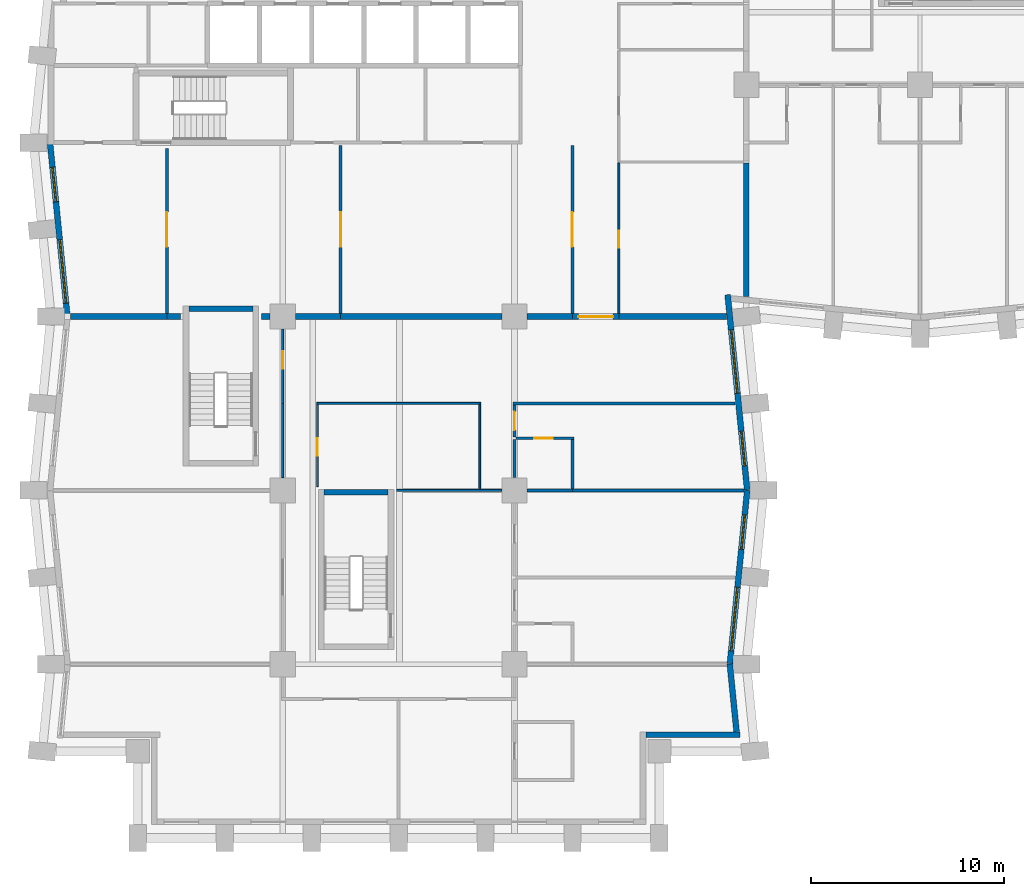
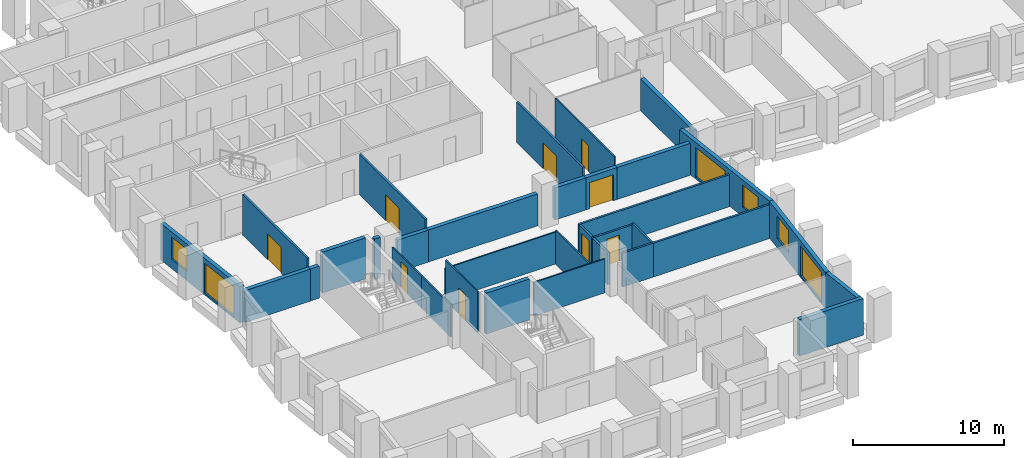
# One storey, part 4 of 12: 33 walls, 9 doors, 6 windows, 15 openings.
"""IFC4 building model written with IfcOpenShell, lengths in metres."""

import ifcopenshell
import ifcopenshell.guid

model = None  # the IFC model being written
_history = None  # IfcOwnerHistory: only IFC2X3 demands one
_inside = {}  # id of a spatial element -> (the spatial element, [elements in it])
_under = {}  # id of a project, library or spatial element -> (it, [spatial elements below it])
_declared = {}  # id of a project -> (the project, [libraries it declares])
_typed = {}  # id of a type object -> (the type object, [elements of that type])
_made_of = {}  # id of a material, layer set ... -> (it, [elements and type objects made of it])


def new_model(schema):
    """Start an empty IFC model of exactly this schema.

    Asked for "IFC4X3", IfcOpenShell would pick the latest addendum, in which some entities
    have other attributes; the version numbers below select the first issue.
    IFC2X3 requires an IfcOwnerHistory on every rooted entity: one is made here for all.
    """
    global model, _history
    if schema == "IFC4X3":
        model = ifcopenshell.file(schema_version=(4, 3, 0, 0))
    else:
        model = ifcopenshell.file(schema=schema)
    _inside.clear()
    _under.clear()
    _declared.clear()
    _typed.clear()
    _made_of.clear()
    _history = None
    if model.schema == "IFC2X3":
        org = make("IfcOrganization", Name="unknown")
        user = make(
            "IfcPersonAndOrganization",
            ThePerson=make("IfcPerson", FamilyName="unknown"),
            TheOrganization=org,
        )
        app = make(
            "IfcApplication",
            ApplicationDeveloper=org,
            Version="unknown",
            ApplicationFullName="unknown",
            ApplicationIdentifier="unknown",
        )
        _history = make(
            "IfcOwnerHistory",
            OwningUser=user,
            OwningApplication=app,
            ChangeAction="ADDED",
            CreationDate=0,
        )
    return model


def make(cls, **values):
    """One entity of the class cls with the attributes given. An attribute that is None is left unset."""
    return model.create_entity(
        cls, **{name: value for name, value in values.items() if value is not None}
    )


def rooted(cls, **values):
    """An entity with a GlobalId (a new one), such as an element, a storey or a relation."""
    return make(cls, GlobalId=ifcopenshell.guid.new(), OwnerHistory=_history, **values)


def si_unit(unit_type, name, prefix=None):
    """IfcSIUnit, for example si_unit("LENGTHUNIT", "METRE", prefix="MILLI")."""
    return make("IfcSIUnit", UnitType=unit_type, Prefix=prefix, Name=name)


def assignment(units):
    """IfcUnitAssignment: the units of a project."""
    return None if units is None else make("IfcUnitAssignment", Units=units)


def point(xyz):
    """IfcCartesianPoint."""
    return None if xyz is None else make("IfcCartesianPoint", Coordinates=xyz)


def direction(xyz):
    """IfcDirection."""
    return None if xyz is None else make("IfcDirection", DirectionRatios=xyz)


def frame(location, z_axis=None, x_axis=None):
    """IfcAxis2Placement3D, a coordinate frame: its origin and axes. An axis left out is left unset."""
    return make(
        "IfcAxis2Placement3D",
        Location=point(location),
        Axis=direction(z_axis),
        RefDirection=direction(x_axis),
    )


def frame_2d(location, x_axis=None):
    """IfcAxis2Placement2D, a coordinate frame in the plane: its origin and x axis."""
    return make(
        "IfcAxis2Placement2D", Location=point(location), RefDirection=direction(x_axis)
    )


def origin():
    """The frame at (0, 0, 0) with its axes left unset."""
    return frame((0.0, 0.0, 0.0))


def place(relative_to, where):
    """IfcLocalPlacement: puts the frame where relative to a parent placement (None: the world)."""
    return make(
        "IfcLocalPlacement", PlacementRelTo=relative_to, RelativePlacement=where
    )


def context(
    kind, dimensions, precision=None, world=None, true_north=None, identifier=None
):
    """IfcGeometricRepresentationContext, for example the 3D "Model" context."""
    return make(
        "IfcGeometricRepresentationContext",
        ContextIdentifier=identifier,
        ContextType=kind,
        CoordinateSpaceDimension=dimensions,
        Precision=precision,
        WorldCoordinateSystem=world,
        TrueNorth=true_north,
    )


def subcontext(parent, identifier, kind, view, scale=None):
    """IfcGeometricRepresentationSubContext, for example "Body" below "Model"."""
    return make(
        "IfcGeometricRepresentationSubContext",
        ContextIdentifier=identifier,
        ContextType=kind,
        ParentContext=parent,
        TargetScale=scale,
        TargetView=view,
    )


def project(units=None, contexts=None):
    """IfcProject with its units and contexts."""
    return rooted(
        "IfcProject",
        Name="project",
        RepresentationContexts=contexts,
        UnitsInContext=assignment(units),
    )


def spatial(cls, under=None, at=None, **own):
    """A site, building, storey or space (cls), placed at a placement, below another one or the project."""
    s = rooted(cls, ObjectPlacement=at, **own)
    if under is not None:
        _under.setdefault(under.id(), (under, []))[1].append(s)
    return s


def profile(cls, at=None, kind="AREA", **sizes):
    """A parametric profile (cls). Its sizes go by their IFC names, for example OverallWidth=200.0."""
    return make(cls, ProfileType=kind, Position=at, **sizes)


def rectangle(**sizes):
    """IfcRectangleProfileDef."""
    return profile("IfcRectangleProfileDef", **sizes)


def extrude(swept, where, along, depth):
    """IfcExtrudedAreaSolid: the profile swept, set in the frame where, extruded along a direction by depth."""
    return make(
        "IfcExtrudedAreaSolid",
        SweptArea=swept,
        Position=where,
        ExtrudedDirection=direction(along),
        Depth=depth,
    )


def shape(context_of_items, identifier, shape_type, items):
    """IfcShapeRepresentation: the items that make up one representation, for example the "Body"."""
    return make(
        "IfcShapeRepresentation",
        ContextOfItems=context_of_items,
        RepresentationIdentifier=identifier,
        RepresentationType=shape_type,
        Items=items,
    )


def material(Name=None, Category=None):
    """IfcMaterial."""
    return make("IfcMaterial", Name=Name, Category=Category)


def layer(
    of_material, thickness, ventilated=None, Name=None, Category=None, Priority=None
):
    """IfcMaterialLayer: one layer of a wall or slab, of a material (None: an air gap)."""
    return make(
        "IfcMaterialLayer",
        Material=of_material,
        LayerThickness=thickness,
        IsVentilated=ventilated,
        Name=Name,
        Category=Category,
        Priority=Priority,
    )


def layer_set(layers, Name=None):
    """IfcMaterialLayerSet."""
    return make("IfcMaterialLayerSet", MaterialLayers=layers, LayerSetName=Name)


def made_of(thing, what):
    """Note that an element or type object is made of a material, layer set ...; save() writes the relation."""
    if what is not None:
        _made_of.setdefault(what.id(), (what, []))[1].append(thing)
    return thing


def type_object(cls, material=None, **own):
    """A type object (cls), such as IfcWallType, which elements share."""
    return made_of(rooted(cls, **own), material)


def element(
    cls,
    number,
    at=None,
    inside=None,
    cuts=None,
    type_object=None,
    material=None,
    context=None,
    identifier="Body",
    shape_type=None,
    held_by="IfcProductDefinitionShape",
    body=None,
    shapes=None,
    **own,
):
    """One element of the class cls, such as IfcWall. Its Tag is "e" and its number.

    at: its placement. inside: the storey or other place that contains it. cuts: it is an
    opening in that element (IfcRelVoidsElement). A single representation is given by context,
    identifier, shape_type and body (its items); several are given by shapes. held_by: the class
    of the entity that holds the representations. save() writes the other relations.
    """
    e = rooted(cls, Tag="e%d" % number, ObjectPlacement=at, **own)
    if body is not None:
        shapes = [shape(context, identifier, shape_type, body)]
    if shapes is not None:
        e.Representation = make(held_by, Representations=shapes)
    if inside is not None:
        _inside.setdefault(inside.id(), (inside, []))[1].append(e)
    if cuts is not None:
        rooted(
            "IfcRelVoidsElement", RelatingBuildingElement=cuts, RelatedOpeningElement=e
        )
    if type_object is not None:
        _typed.setdefault(type_object.id(), (type_object, []))[1].append(e)
    return made_of(e, material)


def fill(opening, filler):
    """IfcRelFillsElement: the door or window that sits in an opening."""
    return rooted(
        "IfcRelFillsElement",
        RelatingOpeningElement=opening,
        RelatedBuildingElement=filler,
    )


def aggregate(whole, parts):
    """IfcRelAggregates: a whole, such as a stair, and the parts it consists of."""
    return rooted("IfcRelAggregates", RelatingObject=whole, RelatedObjects=parts)


def save(model, path):
    """Write the relations noted so far, then the file.

    IfcRelAggregates (storeys below a building ...), IfcRelContainedInSpatialStructure (elements
    in a storey), IfcRelDefinesByType, IfcRelAssociatesMaterial and IfcRelDeclares: one each for
    every whole, place, type object, material and project.
    """
    for whole, parts in _under.values():
        aggregate(whole, parts)
    for where, things in _inside.values():
        rooted(
            "IfcRelContainedInSpatialStructure",
            RelatedElements=things,
            RelatingStructure=where,
        )
    for kind, things in _typed.values():
        rooted("IfcRelDefinesByType", RelatedObjects=things, RelatingType=kind)
    for what, things in _made_of.values():
        rooted("IfcRelAssociatesMaterial", RelatedObjects=things, RelatingMaterial=what)
    for by, libraries in _declared.values():
        rooted("IfcRelDeclares", RelatingContext=by, RelatedDefinitions=libraries)
    model.write(path)


model = new_model("IFC4")

# Units and contexts
model_context = context("Model", 3, precision=1e-05, world=origin(), true_north=direction((0.0, 1.0)))
body_context = subcontext(model_context, "Body", "Model", "MODEL_VIEW")
ifc_project = project(units=[si_unit("LENGTHUNIT", "METRE"), si_unit("AREAUNIT", "SQUARE_METRE"), si_unit("VOLUMEUNIT", "CUBIC_METRE"), si_unit("PLANEANGLEUNIT", "RADIAN"), si_unit("MASSUNIT", "GRAM", prefix="KILO")], contexts=[model_context])

# Site, building, storey
site_placement = place(None, origin())
site = spatial("IfcSite", under=ifc_project, at=site_placement, CompositionType="ELEMENT")
building_placement = place(site_placement, origin())
building = spatial("IfcBuilding", under=site, at=building_placement, Name="Brondeck Convention Tower", CompositionType="ELEMENT")
storey_placement = place(building_placement, frame((0.0, 0.0, 80.699951171875)))
storey = spatial("IfcBuildingStorey", under=building, at=storey_placement, Name="L18", CompositionType="ELEMENT", Elevation=80.699951171875)

# Walls
ifc_material_1 = material(Name="Concrete compartment wall C30/37", Category="concrete")
ifc_layer_1 = layer(ifc_material_1, 0.300048828125)
ifc_layer_set_1 = layer_set([ifc_layer_1], Name="Compartment wall 300")
wall_type_1 = type_object("IfcWallType", Name="Compartment wall 300", PredefinedType="PARTITIONING", material=ifc_layer_set_1)
wall_1_placement = place(storey_placement, frame((6.0, 27.0, 0.0), z_axis=(0.0, 0.0, 1.0), x_axis=(-1.0, 0.0, 0.0)))
element("IfcWall", 1, at=wall_1_placement, inside=storey, type_object=wall_type_1, Name="FLR-L18-W034", PredefinedType="PARTITIONING", context=body_context, shape_type="SweptSolid", body=[
    extrude(rectangle(XDim=4.97509765625, YDim=0.300048828125, at=frame_2d((2.487548828125, 0.0))), origin(), (0.0, 0.0, 1.0), 2.580078125),
])
wall_2_placement = place(storey_placement, frame((6.699951171875, 27.0, 0.0), z_axis=(0.0, 0.0, 1.0), x_axis=(-1.0, 0.0, 0.0)))
element("IfcWall", 2, at=wall_2_placement, inside=storey, type_object=wall_type_1, Name="FLR-L18-W035", PredefinedType="PARTITIONING", context=body_context, shape_type="SweptSolid", body=[
    extrude(rectangle(XDim=0.699951171875, YDim=0.300048828125, at=frame_2d((0.35009765625, 0.0))), origin(), (0.0, 0.0, 1.0), 2.580078125),
])
wall_3_placement = place(storey_placement, frame((11.344970703125, 27.0, 0.0), z_axis=(0.0, 0.0, 1.0), x_axis=(-1.0, 0.0, 0.0)))
element("IfcWall", 3, at=wall_3_placement, inside=storey, type_object=wall_type_1, Name="FLR-L18-W036", PredefinedType="PARTITIONING", context=body_context, shape_type="SweptSolid", body=[
    extrude(rectangle(XDim=0.445068359375, YDim=0.300048828125, at=frame_2d((0.22265625, 0.0))), origin(), (0.0, 0.0, 1.0), 3.280029296875),
])
wall_4_placement = place(storey_placement, frame((15.0, 27.0, 0.0), z_axis=(0.0, 0.0, 1.0), x_axis=(-1.0, 0.0, 0.0)))
element("IfcWall", 4, at=wall_4_placement, inside=storey, type_object=wall_type_1, Name="FLR-L18-W037", PredefinedType="PARTITIONING", context=body_context, shape_type="SweptSolid", body=[
    extrude(rectangle(XDim=2.344970703125, YDim=0.300048828125, at=frame_2d((1.17236328125, 0.0))), origin(), (0.0, 0.0, 1.0), 2.580078125),
])
wall_5_placement = place(storey_placement, frame((23.344970703125, 27.0, 0.0), z_axis=(0.0, 0.0, 1.0), x_axis=(-1.0, 0.0, 0.0)))
element("IfcWall", 5, at=wall_5_placement, inside=storey, type_object=wall_type_1, Name="FLR-L18-W038", PredefinedType="PARTITIONING", context=body_context, shape_type="SweptSolid", body=[
    extrude(rectangle(XDim=8.344970703125, YDim=0.300048828125, at=frame_2d((4.17236328125, 0.0))), origin(), (0.0, 0.0, 1.0), 2.580078125),
])
wall_6_placement = place(storey_placement, frame((27.0, 27.0, 0.0), z_axis=(0.0, 0.0, 1.0), x_axis=(-1.0, 0.0, 0.0)))
element("IfcWall", 6, at=wall_6_placement, inside=storey, type_object=wall_type_1, Name="FLR-L18-W039", PredefinedType="PARTITIONING", context=body_context, shape_type="SweptSolid", body=[
    extrude(rectangle(XDim=2.344970703125, YDim=0.300048828125, at=frame_2d((1.17236328125, 0.0))), origin(), (0.0, 0.0, 1.0), 2.580078125),
])

# Wall, opening, door
wall_7_placement = place(storey_placement, frame((29.39990234375, 27.0, 0.0), z_axis=(0.0, 0.0, 1.0), x_axis=(-1.0, 0.0, 0.0)))
wall_7 = element("IfcWall", 7, at=wall_7_placement, inside=storey, type_object=wall_type_1, Name="FLR-L18-W040", PredefinedType="PARTITIONING", context=body_context, shape_type="SweptSolid", body=[
    extrude(rectangle(XDim=2.39990234375, YDim=0.300048828125, at=frame_2d((1.199951171875, 0.0))), origin(), (0.0, 0.0, 1.0), 2.580078125),
])
opening_1_placement = place(wall_7_placement, frame((0.300048828125, 0.0, 0.0)))
opening_1 = element("IfcOpeningElement", 8, at=opening_1_placement, cuts=wall_7, Name="Opening H5-043", PredefinedType="OPENING", context=body_context, shape_type="SweptSolid", body=[
    extrude(rectangle(XDim=1.800048828125, YDim=2.10009765625, at=frame_2d((0.89990234375, 1.050048828125))), frame((0.0, 0.159912109375, 0.0), z_axis=(0.0, -1.0, 0.0), x_axis=(1.0, 0.0, 0.0)), (0.0, 0.0, 1.0), 0.320068359375),
])
ifc_material_2 = material(Name="Steel fire door pair", Category="steel")
door_type_1 = type_object("IfcDoorType", Name="Fire door pair 1800", OperationType="DOUBLE_DOOR_SINGLE_SWING", PredefinedType="DOOR", material=ifc_material_2)
door_1_placement = place(opening_1_placement, origin())
door_1 = element("IfcDoor", 9, at=door_1_placement, inside=storey, type_object=door_type_1, Name="Door H5-043", OperationType="DOUBLE_DOOR_SINGLE_SWING", OverallHeight=2.10009765625, OverallWidth=1.800048828125, PredefinedType="DOOR", context=body_context, shape_type="SweptSolid", body=[
    extrude(rectangle(XDim=1.800048828125, YDim=2.10009765625, at=frame_2d((0.89990234375, 1.050048828125))), frame((0.0, 0.02490234375, 0.0), z_axis=(0.0, -1.0, 0.0), x_axis=(1.0, 0.0, 0.0)), (0.0, 0.0, 1.0), 0.050048828125),
])
fill(opening_1, door_1)

# Walls
wall_8_placement = place(storey_placement, frame((34.97509765625, 27.0, 0.0), z_axis=(0.0, 0.0, 1.0), x_axis=(-1.0, 0.0, 0.0)))
element("IfcWall", 10, at=wall_8_placement, inside=storey, type_object=wall_type_1, Name="FLR-L18-W041", PredefinedType="PARTITIONING", context=body_context, shape_type="SweptSolid", body=[
    extrude(rectangle(XDim=5.5751953125, YDim=0.300048828125, at=frame_2d((2.78759765625, 0.0))), origin(), (0.0, 0.0, 1.0), 2.580078125),
])
wall_9_placement = place(storey_placement, frame((36.0, 34.949951171875, 0.0), z_axis=(0.0, 0.0, 1.0), x_axis=(0.0, -1.0, 0.0)))
element("IfcWall", 11, at=wall_9_placement, inside=storey, type_object=wall_type_1, Name="FLR-L18-W044", PredefinedType="PARTITIONING", context=body_context, shape_type="SweptSolid", body=[
    extrude(rectangle(XDim=6.925048828125, YDim=0.300048828125, at=frame_2d((3.46240234375, 0.0))), origin(), (0.0, 0.0, 1.0), 2.580078125),
])
ifc_material_3 = material(Name="Precast concrete C50/60 bronze finish", Category="concrete")
ifc_layer_2 = layer(ifc_material_3, 0.070068359375, Name="Bronze precast facing")
ifc_material_4 = material(Name="Mineral wool")
ifc_layer_3 = layer(ifc_material_4, 0.159912109375, Name="Insulation")
ifc_material_5 = material(Name="Concrete C35/45", Category="concrete")
ifc_layer_4 = layer(ifc_material_5, 0.070068359375, Name="Backing")
ifc_layer_set_2 = layer_set([ifc_layer_2, ifc_layer_3, ifc_layer_4], Name="External infill wall, precast concrete C50/60 bronze facing")
wall_type_2 = type_object("IfcWallType", Name="External infill wall, precast concrete C50/60 bronze facing", PredefinedType="SOLIDWALL", material=ifc_layer_set_2)
wall_10_placement = place(storey_placement, frame((35.676513671875, 5.35009765625, 0.0), z_axis=(0.0, 0.0, 1.0), x_axis=(-1.0, 0.0, 0.0)))
element("IfcWall", 12, at=wall_10_placement, inside=storey, type_object=wall_type_2, Name="ENV-EW-L18-P0-NC-SEB0-02", PredefinedType="SOLIDWALL", context=body_context, shape_type="SweptSolid", body=[
    extrude(rectangle(XDim=4.87646484375, YDim=0.300048828125, at=frame_2d((2.438232421875, 0.0))), origin(), (0.0, 0.0, 1.0), 2.949951171875),
])
wall_11_placement = place(storey_placement, frame((35.144287109375, 9.014892578125, 0.0), z_axis=(0.0, 0.0, 1.0), x_axis=(0.099462600847, -0.995041301169, 0.0)))
element("IfcWall", 13, at=wall_11_placement, inside=storey, type_object=wall_type_2, Name="ENV-EW-L18-P0-B-E-04", PredefinedType="SOLIDWALL", context=body_context, shape_type="SweptSolid", body=[
    extrude(rectangle(XDim=3.52734375, YDim=0.300048828125, at=frame_2d((1.763671875, 0.0))), origin(), (0.0, 0.0, 1.0), 2.949951171875),
])

# Wall, openings, windows
wall_12_placement = place(storey_placement, frame((36.04736328125, 18.014892578125, 0.0), z_axis=(0.0, 0.0, 1.0), x_axis=(-0.099522457379, -0.995035316196, 0.0)))
wall_12 = element("IfcWall", 14, at=wall_12_placement, inside=storey, type_object=wall_type_2, Name="ENV-EW-L18-P0-B-E-03", PredefinedType="SOLIDWALL", context=body_context, shape_type="SweptSolid", body=[
    extrude(rectangle(XDim=9.030029296875, YDim=0.300048828125, at=frame_2d((4.51513671875, 0.0))), origin(), (0.0, 0.0, 1.0), 2.949951171875),
])
opening_2_placement = place(wall_12_placement, frame((1.291259765625, 0.0, 0.75)))
opening_2 = element("IfcOpeningElement", 15, at=opening_2_placement, cuts=wall_12, Name="Opening W10", PredefinedType="OPENING", context=body_context, shape_type="SweptSolid", body=[
    extrude(rectangle(XDim=1.800048828125, YDim=1.800048828125, at=frame_2d((0.89990234375, 0.89990234375))), frame((0.0, 0.159912109375, 0.0), z_axis=(0.0, -1.0, 0.0), x_axis=(1.0, 0.0, 0.0)), (0.0, 0.0, 1.0), 0.320068359375),
])
opening_3_placement = place(wall_12_placement, frame((5.063720703125, 0.0, 0.14990234375)))
opening_3 = element("IfcOpeningElement", 16, at=opening_3_placement, cuts=wall_12, Name="Opening W9", PredefinedType="OPENING", context=body_context, shape_type="SweptSolid", body=[
    extrude(rectangle(XDim=3.300048828125, YDim=2.39990234375, at=frame_2d((1.64990234375, 1.199951171875))), frame((0.0, 0.159912109375, 0.0), z_axis=(0.0, -1.0, 0.0), x_axis=(1.0, 0.0, 0.0)), (0.0, 0.0, 1.0), 0.320068359375),
])
ifc_material_6 = material(Name="Bronze tinted double glazing", Category="glass")
window_type_1 = type_object("IfcWindowType", Name="Glazed flute window, bronze tinted", PartitioningType="SINGLE_PANEL", PredefinedType="WINDOW", material=ifc_material_6)
window_1_placement = place(opening_3_placement, origin())
window_1 = element("IfcWindow", 17, at=window_1_placement, inside=storey, type_object=window_type_1, Name="ENV-WN-L18-P0-B-E-03", OverallHeight=2.39990234375, OverallWidth=3.300048828125, PartitioningType="SINGLE_PANEL", PredefinedType="WINDOW", context=body_context, shape_type="SweptSolid", body=[
    extrude(rectangle(XDim=3.300048828125, YDim=2.39990234375, at=frame_2d((1.64990234375, 1.199951171875))), frame((0.0, 0.030029296875, 0.0), z_axis=(0.0, -1.0, 0.0), x_axis=(1.0, 0.0, 0.0)), (0.0, 0.0, 1.0), 0.06005859375),
])
fill(opening_3, window_1)
window_type_2 = type_object("IfcWindowType", Name="Punched window, bronze tinted", PartitioningType="SINGLE_PANEL", PredefinedType="WINDOW", material=ifc_material_6)
window_2_placement = place(opening_2_placement, origin())
window_2 = element("IfcWindow", 18, at=window_2_placement, inside=storey, type_object=window_type_2, Name="ENV-WN-L18-P0-B-E-02", OverallHeight=1.800048828125, OverallWidth=1.800048828125, PartitioningType="SINGLE_PANEL", PredefinedType="WINDOW", context=body_context, shape_type="SweptSolid", body=[
    extrude(rectangle(XDim=1.800048828125, YDim=1.800048828125, at=frame_2d((0.89990234375, 0.89990234375))), frame((0.0, 0.030029296875, 0.0), z_axis=(0.0, -1.0, 0.0), x_axis=(1.0, 0.0, 0.0)), (0.0, 0.0, 1.0), 0.06005859375),
])
fill(opening_2, window_2)

wall_13_placement = place(storey_placement, frame((35.03271484375, 28.131591796875, 0.0), z_axis=(0.0, 0.0, 1.0), x_axis=(0.099487051997, -0.995038856771, 0.0)))
wall_13 = element("IfcWall", 19, at=wall_13_placement, inside=storey, type_object=wall_type_2, Name="ENV-EW-L18-P0-B-E-01", PredefinedType="SOLIDWALL", context=body_context, shape_type="SweptSolid", body=[
    extrude(rectangle(XDim=10.152099609375, YDim=0.300048828125, at=frame_2d((5.076171875, 0.0))), origin(), (0.0, 0.0, 1.0), 2.949951171875),
])
opening_4_placement = place(wall_13_placement, frame((1.83349609375, 0.0, 0.14990234375)))
opening_4 = element("IfcOpeningElement", 20, at=opening_4_placement, cuts=wall_13, Name="Opening W9", PredefinedType="OPENING", context=body_context, shape_type="SweptSolid", body=[
    extrude(rectangle(XDim=3.300048828125, YDim=2.39990234375, at=frame_2d((1.64990234375, 1.199951171875))), frame((0.0, 0.159912109375, 0.0), z_axis=(0.0, -1.0, 0.0), x_axis=(1.0, 0.0, 0.0)), (0.0, 0.0, 1.0), 0.320068359375),
])
opening_5_placement = place(wall_13_placement, frame((7.10595703125, 0.0, 0.75)))
opening_5 = element("IfcOpeningElement", 21, at=opening_5_placement, cuts=wall_13, Name="Opening W10", PredefinedType="OPENING", context=body_context, shape_type="SweptSolid", body=[
    extrude(rectangle(XDim=1.800048828125, YDim=1.800048828125, at=frame_2d((0.89990234375, 0.89990234375))), frame((0.0, 0.159912109375, 0.0), z_axis=(0.0, -1.0, 0.0), x_axis=(1.0, 0.0, 0.0)), (0.0, 0.0, 1.0), 0.320068359375),
])
window_3_placement = place(opening_4_placement, origin())
window_3 = element("IfcWindow", 22, at=window_3_placement, inside=storey, type_object=window_type_1, Name="ENV-WN-L18-P0-B-E-00", OverallHeight=2.39990234375, OverallWidth=3.300048828125, PartitioningType="SINGLE_PANEL", PredefinedType="WINDOW", context=body_context, shape_type="SweptSolid", body=[
    extrude(rectangle(XDim=3.300048828125, YDim=2.39990234375, at=frame_2d((1.64990234375, 1.199951171875))), frame((0.0, 0.030029296875, 0.0), z_axis=(0.0, -1.0, 0.0), x_axis=(1.0, 0.0, 0.0)), (0.0, 0.0, 1.0), 0.06005859375),
])
fill(opening_4, window_3)
window_4_placement = place(opening_5_placement, origin())
window_4 = element("IfcWindow", 23, at=window_4_placement, inside=storey, type_object=window_type_2, Name="ENV-WN-L18-P0-B-E-01", OverallHeight=1.800048828125, OverallWidth=1.800048828125, PartitioningType="SINGLE_PANEL", PredefinedType="WINDOW", context=body_context, shape_type="SweptSolid", body=[
    extrude(rectangle(XDim=1.800048828125, YDim=1.800048828125, at=frame_2d((0.89990234375, 0.89990234375))), frame((0.0, 0.030029296875, 0.0), z_axis=(0.0, -1.0, 0.0), x_axis=(1.0, 0.0, 0.0)), (0.0, 0.0, 1.0), 0.06005859375),
])
fill(opening_5, window_4)

wall_14_placement = place(storey_placement, frame((0.855712890625, 26.985107421875, 0.0), z_axis=(0.0, 0.0, 1.0), x_axis=(-0.099503719021, 0.99503719021, 0.0)))
wall_14 = element("IfcWall", 24, at=wall_14_placement, inside=storey, type_object=wall_type_2, Name="ENV-EW-L18-P0-B-W-06", PredefinedType="SOLIDWALL", context=body_context, shape_type="SweptSolid", body=[
    extrude(rectangle(XDim=8.994873046875, YDim=0.300048828125, at=frame_2d((4.49755859375, 0.0))), origin(), (0.0, 0.0, 1.0), 2.949951171875),
])
opening_6_placement = place(wall_14_placement, frame((0.711181640625, 0.0, 0.14990234375)))
opening_6 = element("IfcOpeningElement", 25, at=opening_6_placement, cuts=wall_14, Name="Opening W9", PredefinedType="OPENING", context=body_context, shape_type="SweptSolid", body=[
    extrude(rectangle(XDim=3.300048828125, YDim=2.39990234375, at=frame_2d((1.64990234375, 1.199951171875))), frame((0.0, 0.159912109375, 0.0), z_axis=(0.0, -1.0, 0.0), x_axis=(1.0, 0.0, 0.0)), (0.0, 0.0, 1.0), 0.320068359375),
])
opening_7_placement = place(wall_14_placement, frame((5.983642578125, 0.0, 0.75)))
opening_7 = element("IfcOpeningElement", 26, at=opening_7_placement, cuts=wall_14, Name="Opening W10", PredefinedType="OPENING", context=body_context, shape_type="SweptSolid", body=[
    extrude(rectangle(XDim=1.800048828125, YDim=1.800048828125, at=frame_2d((0.89990234375, 0.89990234375))), frame((0.0, 0.159912109375, 0.0), z_axis=(0.0, -1.0, 0.0), x_axis=(1.0, 0.0, 0.0)), (0.0, 0.0, 1.0), 0.320068359375),
])
window_5_placement = place(opening_6_placement, origin())
window_5 = element("IfcWindow", 27, at=window_5_placement, inside=storey, type_object=window_type_1, Name="ENV-WN-L18-P0-B-W-07", OverallHeight=2.39990234375, OverallWidth=3.300048828125, PartitioningType="SINGLE_PANEL", PredefinedType="WINDOW", context=body_context, shape_type="SweptSolid", body=[
    extrude(rectangle(XDim=3.300048828125, YDim=2.39990234375, at=frame_2d((1.64990234375, 1.199951171875))), frame((0.0, 0.030029296875, 0.0), z_axis=(0.0, -1.0, 0.0), x_axis=(1.0, 0.0, 0.0)), (0.0, 0.0, 1.0), 0.06005859375),
])
fill(opening_6, window_5)
window_6_placement = place(opening_7_placement, origin())
window_6 = element("IfcWindow", 28, at=window_6_placement, inside=storey, type_object=window_type_2, Name="ENV-WN-L18-P0-B-W-06", OverallHeight=1.800048828125, OverallWidth=1.800048828125, PartitioningType="SINGLE_PANEL", PredefinedType="WINDOW", context=body_context, shape_type="SweptSolid", body=[
    extrude(rectangle(XDim=1.800048828125, YDim=1.800048828125, at=frame_2d((0.89990234375, 0.89990234375))), frame((0.0, 0.030029296875, 0.0), z_axis=(0.0, -1.0, 0.0), x_axis=(1.0, 0.0, 0.0)), (0.0, 0.0, 1.0), 0.06005859375),
])
fill(opening_7, window_6)

# Walls
ifc_material_7 = material(Name="Double gypsum board acoustic wall")
ifc_layer_5 = layer(ifc_material_7, 0.14990234375)
ifc_layer_set_3 = layer_set([ifc_layer_5], Name="Guest room party wall 150")
wall_type_3 = type_object("IfcWallType", Name="Guest room party wall 150", PredefinedType="PARTITIONING", material=ifc_layer_set_3)
wall_15_placement = place(storey_placement, frame((27.0, 18.0, 0.0), z_axis=(0.0, 0.0, 1.0), x_axis=(-1.0, 0.0, 0.0)))
element("IfcWall", 29, at=wall_15_placement, inside=storey, type_object=wall_type_3, Name="FLR-L18-W022", PredefinedType="PARTITIONING", context=body_context, shape_type="SweptSolid", body=[
    extrude(rectangle(XDim=2.344970703125, YDim=0.14990234375, at=frame_2d((1.17236328125, 0.0))), origin(), (0.0, 0.0, 1.0), 2.72998046875),
])
wall_16_placement = place(storey_placement, frame((35.875, 18.0, 0.0), z_axis=(0.0, 0.0, 1.0), x_axis=(-1.0, 0.0, 0.0)))
element("IfcWall", 30, at=wall_16_placement, inside=storey, type_object=wall_type_3, Name="FLR-L18-W023", PredefinedType="PARTITIONING", context=body_context, shape_type="SweptSolid", body=[
    extrude(rectangle(XDim=8.875, YDim=0.14990234375, at=frame_2d((4.4375, 0.0))), origin(), (0.0, 0.0, 1.0), 2.72998046875),
])
wall_17_placement = place(storey_placement, frame((27.0, 18.074951171875, 0.0), z_axis=(0.0, 0.0, 1.0), x_axis=(0.0, 1.0, 0.0)))
element("IfcWall", 31, at=wall_17_placement, inside=storey, type_object=wall_type_3, Name="FLR-L18-W025", PredefinedType="PARTITIONING", context=body_context, shape_type="SweptSolid", body=[
    extrude(rectangle(XDim=2.550048828125, YDim=0.14990234375, at=frame_2d((1.27490234375, 0.0))), origin(), (0.0, 0.0, 1.0), 2.72998046875),
])
wall_18_placement = place(storey_placement, frame((24.0, 20.625, 0.0), z_axis=(0.0, 0.0, 1.0), x_axis=(0.0, -1.0, 0.0)))
element("IfcWall", 32, at=wall_18_placement, inside=storey, type_object=wall_type_3, Name="FLR-L18-W026", PredefinedType="PARTITIONING", context=body_context, shape_type="SweptSolid", body=[
    extrude(rectangle(XDim=1.969970703125, YDim=0.14990234375, at=frame_2d((0.98486328125, 0.0))), origin(), (0.0, 0.0, 1.0), 2.580078125),
])

# Wall, opening, door
wall_19_placement = place(storey_placement, frame((27.074951171875, 20.699951171875, 0.0), z_axis=(0.0, 0.0, 1.0), x_axis=(-1.0, 0.0, 0.0)))
wall_19 = element("IfcWall", 33, at=wall_19_placement, inside=storey, type_object=wall_type_3, Name="FLR-L18-W027", PredefinedType="PARTITIONING", context=body_context, shape_type="SweptSolid", body=[
    extrude(rectangle(XDim=3.0, YDim=0.14990234375, at=frame_2d((1.5, 0.0))), origin(), (0.0, 0.0, 1.0), 2.580078125),
])
opening_8_placement = place(wall_19_placement, frame((1.10009765625, 0.0, 0.0)))
opening_8 = element("IfcOpeningElement", 34, at=opening_8_placement, cuts=wall_19, Name="Opening H5-025", PredefinedType="OPENING", context=body_context, shape_type="SweptSolid", body=[
    extrude(rectangle(XDim=0.949951171875, YDim=2.10009765625, at=frame_2d((0.47509765625, 1.050048828125))), frame((0.0, 0.0849609375, 0.0), z_axis=(0.0, -1.0, 0.0), x_axis=(1.0, 0.0, 0.0)), (0.0, 0.0, 1.0), 0.169921875),
])
ifc_material_8 = material(Name="Solid timber door leaf", Category="wood")
door_type_2 = type_object("IfcDoorType", Name="Accessible door 950", OperationType="NOTDEFINED", PredefinedType="DOOR", material=ifc_material_8)
door_2_placement = place(opening_8_placement, origin())
door_2 = element("IfcDoor", 35, at=door_2_placement, inside=storey, type_object=door_type_2, Name="Door H5-025", OperationType="SINGLE_SWING_LEFT", OverallHeight=2.10009765625, OverallWidth=0.949951171875, PredefinedType="DOOR", context=body_context, shape_type="SweptSolid", body=[
    extrude(rectangle(XDim=0.949951171875, YDim=2.10009765625, at=frame_2d((0.47509765625, 1.050048828125))), frame((0.0, 0.02490234375, 0.0), z_axis=(0.0, -1.0, 0.0), x_axis=(1.0, 0.0, 0.0)), (0.0, 0.0, 1.0), 0.050048828125),
])
fill(opening_8, door_2)

wall_20_placement = place(storey_placement, frame((24.0, 22.425048828125, 0.0), z_axis=(0.0, 0.0, 1.0), x_axis=(0.0, -1.0, 0.0)))
wall_20 = element("IfcWall", 36, at=wall_20_placement, inside=storey, type_object=wall_type_3, Name="FLR-L18-W028", PredefinedType="PARTITIONING", context=body_context, shape_type="SweptSolid", body=[
    extrude(rectangle(XDim=1.650146484375, YDim=0.14990234375, at=frame_2d((0.8251953125, 0.0))), origin(), (0.0, 0.0, 1.0), 2.580078125),
])
opening_9_placement = place(wall_20_placement, frame((0.35009765625, 0.0, 0.0)))
opening_9 = element("IfcOpeningElement", 37, at=opening_9_placement, cuts=wall_20, Name="Opening H5-024", PredefinedType="OPENING", context=body_context, shape_type="SweptSolid", body=[
    extrude(rectangle(XDim=0.949951171875, YDim=2.10009765625, at=frame_2d((0.47509765625, 1.050048828125))), frame((0.0, 0.0849609375, 0.0), z_axis=(0.0, -1.0, 0.0), x_axis=(1.0, 0.0, 0.0)), (0.0, 0.0, 1.0), 0.169921875),
])
door_3_placement = place(opening_9_placement, origin())
door_3 = element("IfcDoor", 38, at=door_3_placement, inside=storey, type_object=door_type_2, Name="Door H5-024", OperationType="SINGLE_SWING_LEFT", OverallHeight=2.10009765625, OverallWidth=0.949951171875, PredefinedType="DOOR", context=body_context, shape_type="SweptSolid", body=[
    extrude(rectangle(XDim=0.949951171875, YDim=2.10009765625, at=frame_2d((0.47509765625, 1.050048828125))), frame((0.0, 0.02490234375, 0.0), z_axis=(0.0, -1.0, 0.0), x_axis=(1.0, 0.0, 0.0)), (0.0, 0.0, 1.0), 0.050048828125),
])
fill(opening_9, door_3)

# Wall
wall_21_placement = place(storey_placement, frame((35.425048828125, 22.5, 0.0), z_axis=(0.0, 0.0, 1.0), x_axis=(-1.0, 0.0, 0.0)))
element("IfcWall", 39, at=wall_21_placement, inside=storey, type_object=wall_type_3, Name="FLR-L18-W033", PredefinedType="PARTITIONING", context=body_context, shape_type="SweptSolid", body=[
    extrude(rectangle(XDim=11.5, YDim=0.14990234375, at=frame_2d((5.75, 0.0))), origin(), (0.0, 0.0, 1.0), 2.580078125),
])

# Wall, opening, door
wall_22_placement = place(storey_placement, frame((27.0, 27.14990234375, 0.0), z_axis=(0.0, 0.0, 1.0), x_axis=(0.0, 1.0, 0.0)))
wall_22 = element("IfcWall", 40, at=wall_22_placement, inside=storey, type_object=wall_type_3, Name="FLR-L18-W042", PredefinedType="PARTITIONING", context=body_context, shape_type="SweptSolid", body=[
    extrude(rectangle(XDim=8.7001953125, YDim=0.14990234375, at=frame_2d((4.35009765625, 0.0))), origin(), (0.0, 0.0, 1.0), 3.280029296875),
])
opening_10_placement = place(wall_22_placement, frame((3.449951171875, 0.0, 0.0)))
opening_10 = element("IfcOpeningElement", 41, at=opening_10_placement, cuts=wall_22, Name="Opening H5-039", PredefinedType="OPENING", context=body_context, shape_type="SweptSolid", body=[
    extrude(rectangle(XDim=1.800048828125, YDim=2.10009765625, at=frame_2d((0.89990234375, 1.050048828125))), frame((0.0, 0.0849609375, 0.0), z_axis=(0.0, -1.0, 0.0), x_axis=(1.0, 0.0, 0.0)), (0.0, 0.0, 1.0), 0.169921875),
])
ifc_material_9 = material(Name="Glazed timber double door", Category="wood")
door_type_3 = type_object("IfcDoorType", Name="Double door 1800", OperationType="DOUBLE_DOOR_SINGLE_SWING", PredefinedType="DOOR", material=ifc_material_9)
door_4_placement = place(opening_10_placement, origin())
door_4 = element("IfcDoor", 42, at=door_4_placement, inside=storey, type_object=door_type_3, Name="Door H5-039", OperationType="DOUBLE_DOOR_SINGLE_SWING", OverallHeight=2.10009765625, OverallWidth=1.800048828125, PredefinedType="DOOR", context=body_context, shape_type="SweptSolid", body=[
    extrude(rectangle(XDim=1.800048828125, YDim=2.10009765625, at=frame_2d((0.89990234375, 1.050048828125))), frame((0.0, 0.02490234375, 0.0), z_axis=(0.0, -1.0, 0.0), x_axis=(1.0, 0.0, 0.0)), (0.0, 0.0, 1.0), 0.050048828125),
])
fill(opening_10, door_4)

wall_23_placement = place(storey_placement, frame((6.0, 27.14990234375, 0.0), z_axis=(0.0, 0.0, 1.0), x_axis=(0.0, 1.0, 0.0)))
wall_23 = element("IfcWall", 43, at=wall_23_placement, inside=storey, type_object=wall_type_3, Name="FLR-L18-W046", PredefinedType="PARTITIONING", context=body_context, shape_type="SweptSolid", body=[
    extrude(rectangle(XDim=8.550048828125, YDim=0.14990234375, at=frame_2d((4.27490234375, 0.0))), origin(), (0.0, 0.0, 1.0), 3.280029296875),
])
opening_11_placement = place(wall_23_placement, frame((3.449951171875, 0.0, 0.0)))
opening_11 = element("IfcOpeningElement", 44, at=opening_11_placement, cuts=wall_23, Name="Opening H5-040", PredefinedType="OPENING", context=body_context, shape_type="SweptSolid", body=[
    extrude(rectangle(XDim=1.800048828125, YDim=2.10009765625, at=frame_2d((0.89990234375, 1.050048828125))), frame((0.0, 0.0849609375, 0.0), z_axis=(0.0, -1.0, 0.0), x_axis=(1.0, 0.0, 0.0)), (0.0, 0.0, 1.0), 0.169921875),
])
door_5_placement = place(opening_11_placement, origin())
door_5 = element("IfcDoor", 45, at=door_5_placement, inside=storey, type_object=door_type_3, Name="Door H5-040", OperationType="DOUBLE_DOOR_SINGLE_SWING", OverallHeight=2.10009765625, OverallWidth=1.800048828125, PredefinedType="DOOR", context=body_context, shape_type="SweptSolid", body=[
    extrude(rectangle(XDim=1.800048828125, YDim=2.10009765625, at=frame_2d((0.89990234375, 1.050048828125))), frame((0.0, 0.02490234375, 0.0), z_axis=(0.0, -1.0, 0.0), x_axis=(1.0, 0.0, 0.0)), (0.0, 0.0, 1.0), 0.050048828125),
])
fill(opening_11, door_5)

wall_24_placement = place(storey_placement, frame((15.0, 27.14990234375, 0.0), z_axis=(0.0, 0.0, 1.0), x_axis=(0.0, 1.0, 0.0)))
wall_24 = element("IfcWall", 46, at=wall_24_placement, inside=storey, type_object=wall_type_3, Name="FLR-L18-W047", PredefinedType="PARTITIONING", context=body_context, shape_type="SweptSolid", body=[
    extrude(rectangle(XDim=8.7001953125, YDim=0.14990234375, at=frame_2d((4.35009765625, 0.0))), origin(), (0.0, 0.0, 1.0), 3.280029296875),
])
opening_12_placement = place(wall_24_placement, frame((3.449951171875, 0.0, 0.0)))
opening_12 = element("IfcOpeningElement", 47, at=opening_12_placement, cuts=wall_24, Name="Opening H5-041", PredefinedType="OPENING", context=body_context, shape_type="SweptSolid", body=[
    extrude(rectangle(XDim=1.800048828125, YDim=2.10009765625, at=frame_2d((0.89990234375, 1.050048828125))), frame((0.0, 0.0849609375, 0.0), z_axis=(0.0, -1.0, 0.0), x_axis=(1.0, 0.0, 0.0)), (0.0, 0.0, 1.0), 0.169921875),
])
door_6_placement = place(opening_12_placement, origin())
door_6 = element("IfcDoor", 48, at=door_6_placement, inside=storey, type_object=door_type_3, Name="Door H5-041", OperationType="DOUBLE_DOOR_SINGLE_SWING", OverallHeight=2.10009765625, OverallWidth=1.800048828125, PredefinedType="DOOR", context=body_context, shape_type="SweptSolid", body=[
    extrude(rectangle(XDim=1.800048828125, YDim=2.10009765625, at=frame_2d((0.89990234375, 1.050048828125))), frame((0.0, 0.02490234375, 0.0), z_axis=(0.0, -1.0, 0.0), x_axis=(1.0, 0.0, 0.0)), (0.0, 0.0, 1.0), 0.050048828125),
])
fill(opening_12, door_6)

# Walls
ifc_material_10 = material(Name="Gypsum board partition on steel studs", Category="steel")
ifc_layer_6 = layer(ifc_material_10, 0.10009765625)
ifc_layer_set_4 = layer_set([ifc_layer_6], Name="Room partition 100")
wall_type_4 = type_object("IfcWallType", Name="Room partition 100", PredefinedType="PARTITIONING", material=ifc_layer_set_4)
wall_25_placement = place(storey_placement, frame((23.330078125, 18.0, 0.0), z_axis=(0.0, 0.0, 1.0), x_axis=(-1.0, 0.0, 0.0)))
element("IfcWall", 49, at=wall_25_placement, inside=storey, type_object=wall_type_4, Name="FLR-L18-W021", PredefinedType="PARTITIONING", context=body_context, shape_type="SweptSolid", body=[
    extrude(rectangle(XDim=5.43017578125, YDim=0.10009765625, at=frame_2d((2.715087890625, 0.0))), origin(), (0.0, 0.0, 1.0), 2.72998046875),
])
wall_26_placement = place(storey_placement, frame((22.199951171875, 18.050048828125, 0.0), z_axis=(0.0, 0.0, 1.0), x_axis=(0.0, 1.0, 0.0)))
element("IfcWall", 50, at=wall_26_placement, inside=storey, type_object=wall_type_4, Name="FLR-L18-W024", PredefinedType="PARTITIONING", context=body_context, shape_type="SweptSolid", body=[
    extrude(rectangle(XDim=4.39990234375, YDim=0.10009765625, at=frame_2d((2.199951171875, 0.0))), origin(), (0.0, 0.0, 1.0), 2.72998046875),
])

# Wall, opening, door
wall_27_placement = place(storey_placement, frame((13.800048828125, 22.449951171875, 0.0), z_axis=(0.0, 0.0, 1.0), x_axis=(0.0, -1.0, 0.0)))
wall_27 = element("IfcWall", 51, at=wall_27_placement, inside=storey, type_object=wall_type_4, Name="FLR-L18-W029", PredefinedType="PARTITIONING", context=body_context, shape_type="SweptSolid", body=[
    extrude(rectangle(XDim=4.25, YDim=0.10009765625, at=frame_2d((2.125, 0.0))), origin(), (0.0, 0.0, 1.0), 3.280029296875),
])
opening_13_placement = place(wall_27_placement, frame((1.75, 0.0, 0.0)))
opening_13 = element("IfcOpeningElement", 52, at=opening_13_placement, cuts=wall_27, Name="Opening H5-029", PredefinedType="OPENING", context=body_context, shape_type="SweptSolid", body=[
    extrude(rectangle(XDim=0.89990234375, YDim=2.10009765625, at=frame_2d((0.449951171875, 1.050048828125))), frame((0.0, 0.06005859375, 0.0), z_axis=(0.0, -1.0, 0.0), x_axis=(1.0, 0.0, 0.0)), (0.0, 0.0, 1.0), 0.1201171875),
])
door_type_4 = type_object("IfcDoorType", Name="Single door 900", OperationType="NOTDEFINED", PredefinedType="DOOR", material=ifc_material_8)
door_7_placement = place(opening_13_placement, origin())
door_7 = element("IfcDoor", 53, at=door_7_placement, inside=storey, type_object=door_type_4, Name="Door H5-029", OperationType="SINGLE_SWING_LEFT", OverallHeight=2.10009765625, OverallWidth=0.89990234375, PredefinedType="DOOR", context=body_context, shape_type="SweptSolid", body=[
    extrude(rectangle(XDim=0.89990234375, YDim=2.10009765625, at=frame_2d((0.449951171875, 1.050048828125))), frame((0.0, 0.02490234375, 0.0), z_axis=(0.0, -1.0, 0.0), x_axis=(1.0, 0.0, 0.0)), (0.0, 0.0, 1.0), 0.050048828125),
])
fill(opening_13, door_7)

# Wall
wall_28_placement = place(storey_placement, frame((12.0, 22.5, 0.0), z_axis=(0.0, 0.0, 1.0), x_axis=(0.0, -1.0, 0.0)))
element("IfcWall", 54, at=wall_28_placement, inside=storey, type_object=wall_type_4, Name="FLR-L18-W030", PredefinedType="PARTITIONING", context=body_context, shape_type="SweptSolid", body=[
    extrude(rectangle(XDim=3.844970703125, YDim=0.10009765625, at=frame_2d((1.92236328125, 0.0))), origin(), (0.0, 0.0, 1.0), 2.580078125),
])

# Wall, opening, door
wall_29_placement = place(storey_placement, frame((12.0, 26.344970703125, 0.0), z_axis=(0.0, 0.0, 1.0), x_axis=(0.0, -1.0, 0.0)))
wall_29 = element("IfcWall", 55, at=wall_29_placement, inside=storey, type_object=wall_type_4, Name="FLR-L18-W031", PredefinedType="PARTITIONING", context=body_context, shape_type="SweptSolid", body=[
    extrude(rectangle(XDim=3.844970703125, YDim=0.10009765625, at=frame_2d((1.92236328125, 0.0))), origin(), (0.0, 0.0, 1.0), 2.580078125),
])
opening_14_placement = place(wall_29_placement, frame((1.14501953125, 0.0, 0.0)))
opening_14 = element("IfcOpeningElement", 56, at=opening_14_placement, cuts=wall_29, Name="Opening H5-022", PredefinedType="OPENING", context=body_context, shape_type="SweptSolid", body=[
    extrude(rectangle(XDim=0.89990234375, YDim=2.10009765625, at=frame_2d((0.449951171875, 1.050048828125))), frame((0.0, 0.06005859375, 0.0), z_axis=(0.0, -1.0, 0.0), x_axis=(1.0, 0.0, 0.0)), (0.0, 0.0, 1.0), 0.1201171875),
])
door_8_placement = place(opening_14_placement, origin())
door_8 = element("IfcDoor", 57, at=door_8_placement, inside=storey, type_object=door_type_4, Name="Door H5-022", OperationType="SINGLE_SWING_LEFT", OverallHeight=2.10009765625, OverallWidth=0.89990234375, PredefinedType="DOOR", context=body_context, shape_type="SweptSolid", body=[
    extrude(rectangle(XDim=0.89990234375, YDim=2.10009765625, at=frame_2d((0.449951171875, 1.050048828125))), frame((0.0, 0.02490234375, 0.0), z_axis=(0.0, -1.0, 0.0), x_axis=(1.0, 0.0, 0.0)), (0.0, 0.0, 1.0), 0.050048828125),
])
fill(opening_14, door_8)

# Wall
wall_30_placement = place(storey_placement, frame((22.25, 22.5, 0.0), z_axis=(0.0, 0.0, 1.0), x_axis=(-1.0, 0.0, 0.0)))
element("IfcWall", 58, at=wall_30_placement, inside=storey, type_object=wall_type_4, Name="FLR-L18-W032", PredefinedType="PARTITIONING", context=body_context, shape_type="SweptSolid", body=[
    extrude(rectangle(XDim=8.5, YDim=0.10009765625, at=frame_2d((4.25, 0.0))), origin(), (0.0, 0.0, 1.0), 2.580078125),
])

# Wall, opening, door
wall_31_placement = place(storey_placement, frame((29.39990234375, 34.949951171875, 0.0), z_axis=(0.0, 0.0, 1.0), x_axis=(0.0, -1.0, 0.0)))
wall_31 = element("IfcWall", 59, at=wall_31_placement, inside=storey, type_object=wall_type_4, Name="FLR-L18-W043", PredefinedType="PARTITIONING", context=body_context, shape_type="SweptSolid", body=[
    extrude(rectangle(XDim=7.800048828125, YDim=0.10009765625, at=frame_2d((3.89990234375, 0.0))), origin(), (0.0, 0.0, 1.0), 3.280029296875),
])
opening_15_placement = place(wall_31_placement, frame((3.5, 0.0, 0.0)))
opening_15 = element("IfcOpeningElement", 60, at=opening_15_placement, cuts=wall_31, Name="Opening H5-038", PredefinedType="OPENING", context=body_context, shape_type="SweptSolid", body=[
    extrude(rectangle(XDim=0.89990234375, YDim=2.10009765625, at=frame_2d((0.449951171875, 1.050048828125))), frame((0.0, 0.06005859375, 0.0), z_axis=(0.0, -1.0, 0.0), x_axis=(1.0, 0.0, 0.0)), (0.0, 0.0, 1.0), 0.1201171875),
])
door_9_placement = place(opening_15_placement, origin())
door_9 = element("IfcDoor", 61, at=door_9_placement, inside=storey, type_object=door_type_4, Name="Door H5-038", OperationType="SINGLE_SWING_LEFT", OverallHeight=2.10009765625, OverallWidth=0.89990234375, PredefinedType="DOOR", context=body_context, shape_type="SweptSolid", body=[
    extrude(rectangle(XDim=0.89990234375, YDim=2.10009765625, at=frame_2d((0.449951171875, 1.050048828125))), frame((0.0, 0.02490234375, 0.0), z_axis=(0.0, -1.0, 0.0), x_axis=(1.0, 0.0, 0.0)), (0.0, 0.0, 1.0), 0.050048828125),
])
fill(opening_15, door_9)

# Walls
ifc_material_11 = material(Name="Concrete C80/95", Category="concrete")
ifc_layer_7 = layer(ifc_material_11, 0.300048828125)
ifc_layer_set_5 = layer_set([ifc_layer_7], Name="Stair enclosure wall 300 Concrete C80/95")
wall_type_5 = type_object("IfcWallType", Name="Stair enclosure wall 300 Concrete C80/95", PredefinedType="SHEAR", material=ifc_layer_set_5)
for number, where, z_axis, x_axis, name in (
    (62, (14.14990234375, 17.89990234375, 0.0), (0.0, 0.0, 1.0), (1.0, 0.0, 0.0), "L18 core wall"),
    (63, (7.14990234375, 27.39990234375, 0.0), (0.0, 0.0, 1.0), (1.0, 0.0, 0.0), "L18 core wall"),
):
    element("IfcWall", number, at=place(storey_placement, frame(where, z_axis=z_axis, x_axis=x_axis)), inside=storey, type_object=wall_type_5, Name=name, PredefinedType="SHEAR", context=body_context, shape_type="SweptSolid", body=[
        extrude(rectangle(XDim=3.300048828125, YDim=0.300048828125, at=frame_2d((1.64990234375, 0.0))), origin(), (0.0, 0.0, 1.0), 3.300048828125),
    ])

save(model, "model.ifc")
